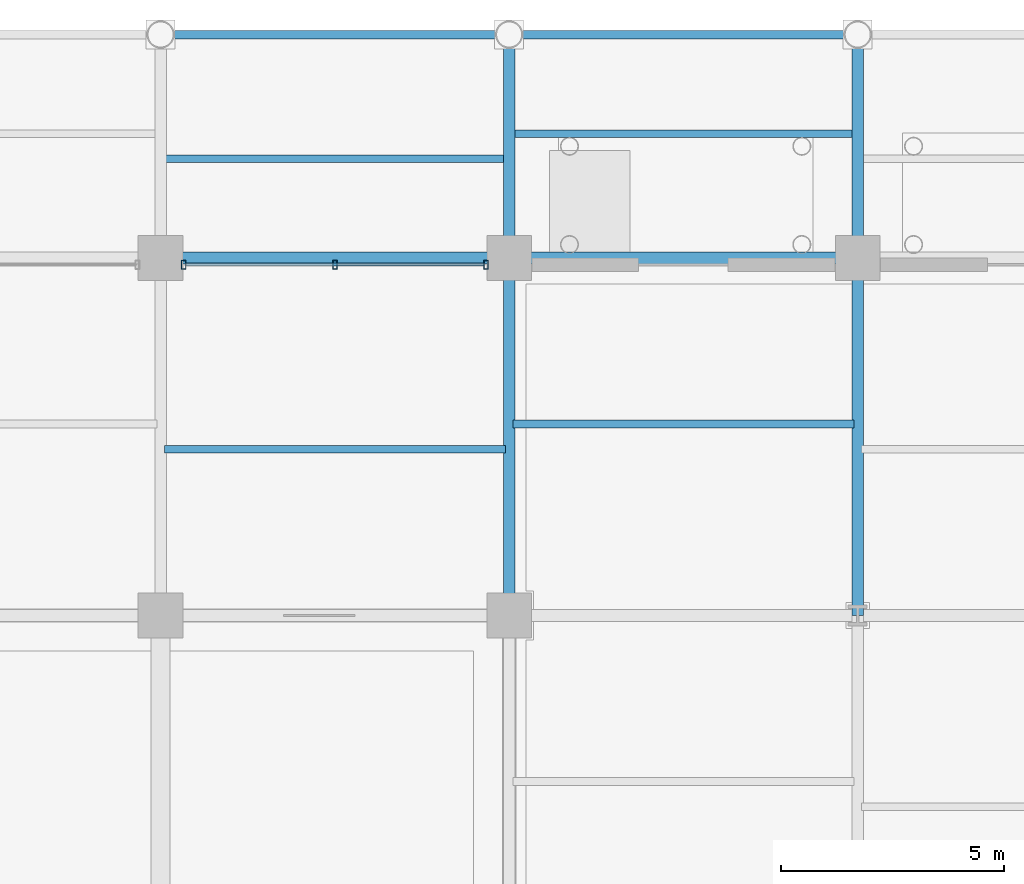
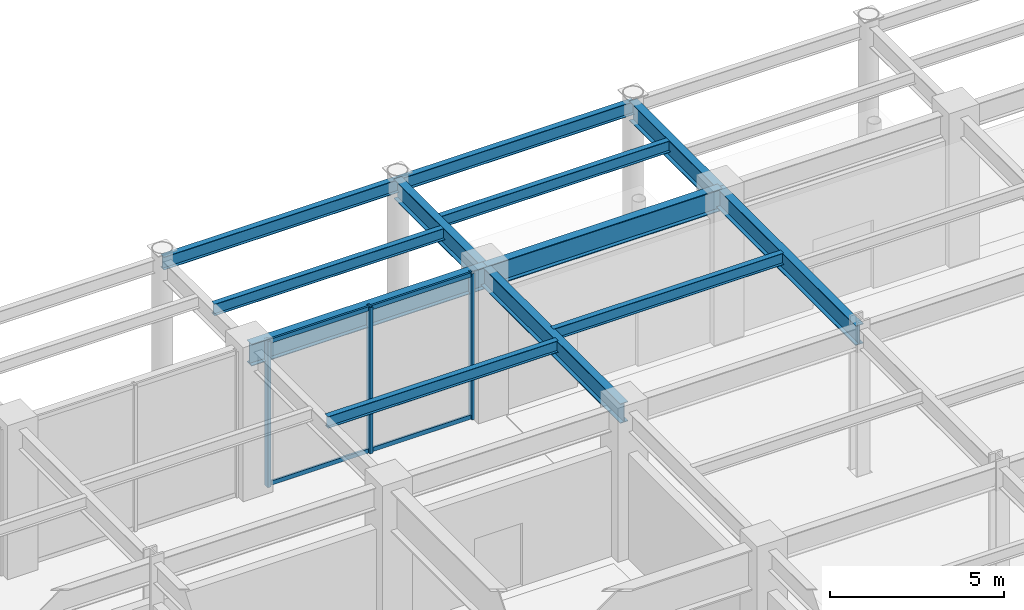
# One storey, part 15 of 27: 12 beams, 5 members, 1 element without a shape of its own.
"""IFC4 building model written with IfcOpenShell, lengths in metres."""

from ifc_helpers import new_model, si_unit, direction, frame, origin, origin_2d, place, context, subcontext, project, spatial, hollow_rectangle, i_section, extrude, material, layer, layer_set, material_profile, profile_set, type_object, element, aggregate, save


model = new_model("IFC4")

# Units and contexts
model_context = context("Model", 3, precision=1e-05, world=origin(), true_north=direction((0.0, 1.0)))
body_context = subcontext(model_context, "Body", "Model", "MODEL_VIEW")
ifc_project = project(units=[si_unit("LENGTHUNIT", "METRE"), si_unit("AREAUNIT", "SQUARE_METRE"), si_unit("VOLUMEUNIT", "CUBIC_METRE"), si_unit("PLANEANGLEUNIT", "RADIAN"), si_unit("MASSUNIT", "GRAM", prefix="KILO")], contexts=[model_context])

# Site, building, storey
site_placement = place(None, origin())
site = spatial("IfcSite", under=ifc_project, at=site_placement, CompositionType="ELEMENT")
building_placement = place(site_placement, origin())
building = spatial("IfcBuilding", under=site, at=building_placement, Name="Veymaron Broadcast Tower", CompositionType="ELEMENT")
storey_placement = place(building_placement, origin())
storey = spatial("IfcBuildingStorey", under=building, at=storey_placement, Name="L00", CompositionType="ELEMENT", Elevation=0.0)

# Beams
ifc_material_1 = material(Name="Structural steel ASTM A992 Gr 50", Category="steel")
ifc_material_profile_1 = material_profile(ifc_material_1, i_section(OverallWidth=0.177978515625, OverallDepth=0.406982421875, WebThickness=0.0078125, FlangeThickness=0.0126953125, at=origin_2d()), Name="W410X60")
ifc_profile_set_1 = profile_set([ifc_material_profile_1], Name="Structural steel ASTM A992 Gr 50")
beam_type_1 = type_object("IfcBeamType", Name="BM-JS1", PredefinedType="JOIST", material=ifc_profile_set_1)
for number, where, z_axis, x_axis, name in (
    (1, (15.68505859375, 43.719970703125, 4.91650390625), (1.0, 0.0, 0.0), (0.0, 1.0, 0.0), "L00 podium secondary floor joist"),
    (2, (15.68505859375, 50.219970703125, 4.91650390625), (1.0, 0.0, 0.0), (0.0, 1.0, 0.0), "L00 podium secondary floor joist"),
    (3, (23.485107421875, 44.280029296875, 4.91650390625), (1.0, 0.0, 0.0), (0.0, 1.0, 0.0), "L00 podium secondary floor joist"),
    (4, (23.485107421875, 50.780029296875, 4.91650390625), (1.0, 0.0, 0.0), (0.0, 1.0, 0.0), "L00 podium secondary floor joist"),
):
    element("IfcBeam", number, at=place(storey_placement, frame(where, z_axis=z_axis, x_axis=x_axis)), inside=storey, type_object=beam_type_1, Name=name, PredefinedType="JOIST", context=body_context, shape_type="SweptSolid", body=[
        extrude(i_section(OverallWidth=0.177978515625, OverallDepth=0.406982421875, WebThickness=0.0078125, FlangeThickness=0.0126953125, at=origin_2d()), origin(), (0.0, 0.0, 1.0), 7.6298828125),
    ])
ifc_material_profile_2 = material_profile(ifc_material_1, i_section(OverallWidth=0.26806640625, OverallDepth=0.77001953125, WebThickness=0.015625, FlangeThickness=0.025390625, at=origin_2d()), Name="W760X196")
ifc_profile_set_2 = profile_set([ifc_material_profile_2], Name="Structural steel ASTM A992 Gr 50")
beam_type_2 = type_object("IfcBeamType", Name="BM-PG1", PredefinedType="BEAM", material=ifc_profile_set_2)
beam_1_placement = place(storey_placement, frame((15.60009765625, 48.0, 4.735107421875), z_axis=(1.0, 0.0, 0.0), x_axis=(0.0, 1.0, 0.0)))
element("IfcBeam", 5, at=beam_1_placement, inside=storey, type_object=beam_type_2, Name="L00 podium primary X-girder", PredefinedType="BEAM", context=body_context, shape_type="SweptSolid", body=[
    extrude(i_section(OverallWidth=0.26806640625, OverallDepth=0.77001953125, WebThickness=0.015625, FlangeThickness=0.025390625, at=origin_2d()), origin(), (0.0, 0.0, 1.0), 7.7998046875),
])
beam_2_placement = place(storey_placement, frame((23.39990234375, 48.0, 4.735107421875), z_axis=(1.0, 0.0, 0.0), x_axis=(0.0, 1.0, 0.0)))
element("IfcBeam", 6, at=beam_2_placement, inside=storey, type_object=beam_type_2, Name="L00 podium primary X-girder", PredefinedType="BEAM", context=body_context, shape_type="SweptSolid", body=[
    extrude(i_section(OverallWidth=0.26806640625, OverallDepth=0.77001953125, WebThickness=0.015625, FlangeThickness=0.025390625, at=origin_2d()), origin(), (0.0, 0.0, 1.0), 7.800048828125),
])
ifc_material_profile_3 = material_profile(ifc_material_1, i_section(OverallWidth=0.256103515625, OverallDepth=0.693115234375, WebThickness=0.014404296875, FlangeThickness=0.023681640625, at=origin_2d()), Name="W690X170")
ifc_profile_set_3 = profile_set([ifc_material_profile_3], Name="Structural steel ASTM A992 Gr 50")
beam_type_3 = type_object("IfcBeamType", Name="BM-PG2", PredefinedType="BEAM", material=ifc_profile_set_3)
beam_3_placement = place(storey_placement, frame((23.39990234375, 40.0, 4.7734375), z_axis=(0.0, 1.0, 0.0), x_axis=(-1.0, 0.0, 0.0)))
element("IfcBeam", 7, at=beam_3_placement, inside=storey, type_object=beam_type_3, Name="L00 podium primary Y-girder", PredefinedType="BEAM", context=body_context, shape_type="SweptSolid", body=[
    extrude(i_section(OverallWidth=0.256103515625, OverallDepth=0.693115234375, WebThickness=0.014404296875, FlangeThickness=0.023681640625, at=origin_2d()), origin(), (0.0, 0.0, 1.0), 8.0),
])
beam_4_placement = place(storey_placement, frame((23.39990234375, 48.0, 4.7734375), z_axis=(0.0, 1.0, 0.0), x_axis=(-1.0, 0.0, 0.0)))
element("IfcBeam", 8, at=beam_4_placement, inside=storey, type_object=beam_type_3, Name="L00 podium primary Y-girder", PredefinedType="BEAM", context=body_context, shape_type="SweptSolid", body=[
    extrude(i_section(OverallWidth=0.256103515625, OverallDepth=0.693115234375, WebThickness=0.014404296875, FlangeThickness=0.023681640625, at=origin_2d()), origin(), (0.0, 0.0, 1.0), 5.0),
])
beam_5_placement = place(storey_placement, frame((31.199951171875, 40.0, 4.7734375), z_axis=(0.0, 1.0, 0.0), x_axis=(-1.0, 0.0, 0.0)))
element("IfcBeam", 9, at=beam_5_placement, inside=storey, type_object=beam_type_3, Name="L00 podium primary Y-girder", PredefinedType="BEAM", context=body_context, shape_type="SweptSolid", body=[
    extrude(i_section(OverallWidth=0.256103515625, OverallDepth=0.693115234375, WebThickness=0.014404296875, FlangeThickness=0.023681640625, at=origin_2d()), origin(), (0.0, 0.0, 1.0), 8.0),
])
beam_6_placement = place(storey_placement, frame((31.199951171875, 48.0, 4.7734375), z_axis=(0.0, 1.0, 0.0), x_axis=(-1.0, 0.0, 0.0)))
element("IfcBeam", 10, at=beam_6_placement, inside=storey, type_object=beam_type_3, Name="L00 podium primary Y-girder", PredefinedType="BEAM", context=body_context, shape_type="SweptSolid", body=[
    extrude(i_section(OverallWidth=0.256103515625, OverallDepth=0.693115234375, WebThickness=0.014404296875, FlangeThickness=0.023681640625, at=origin_2d()), origin(), (0.0, 0.0, 1.0), 5.0),
])
ifc_material_profile_4 = material_profile(ifc_material_1, i_section(OverallWidth=0.19091796875, OverallDepth=0.4599609375, WebThickness=0.010009765625, FlangeThickness=0.01611328125, at=origin_2d()), Name="W460X82")
ifc_profile_set_4 = profile_set([ifc_material_profile_4], Name="Structural steel ASTM A992 Gr 50")
beam_type_4 = type_object("IfcBeamType", Name="BM-SP1", PredefinedType="SPANDREL", material=ifc_profile_set_4)
beam_7_placement = place(storey_placement, frame((15.60009765625, 53.0, 4.889892578125), z_axis=(1.0, 0.0, 0.0), x_axis=(0.0, 1.0, 0.0)))
element("IfcBeam", 11, at=beam_7_placement, inside=storey, type_object=beam_type_4, Name="L00 podium primary X-girder", PredefinedType="SPANDREL", context=body_context, shape_type="SweptSolid", body=[
    extrude(i_section(OverallWidth=0.19091796875, OverallDepth=0.4599609375, WebThickness=0.010009765625, FlangeThickness=0.01611328125, at=origin_2d()), origin(), (0.0, 0.0, 1.0), 7.7998046875),
])
beam_8_placement = place(storey_placement, frame((23.39990234375, 53.0, 4.889892578125), z_axis=(1.0, 0.0, 0.0), x_axis=(0.0, 1.0, 0.0)))
element("IfcBeam", 12, at=beam_8_placement, inside=storey, type_object=beam_type_4, Name="L00 podium primary X-girder", PredefinedType="SPANDREL", context=body_context, shape_type="SweptSolid", body=[
    extrude(i_section(OverallWidth=0.19091796875, OverallDepth=0.4599609375, WebThickness=0.010009765625, FlangeThickness=0.01611328125, at=origin_2d()), origin(), (0.0, 0.0, 1.0), 7.800048828125),
])

# Curtain wall, members
ifc_material_2 = material(Name="Anodised aluminium AA 6063-T6 and laminated low-E dark glass", Category="aluminium")
ifc_layer = layer(ifc_material_2, 0.179931640625)
ifc_layer_set = layer_set([ifc_layer], Name="Anodised aluminium AA 6063-T6 and laminated low-E dark glass")
curtain_wall_type = type_object("IfcCurtainWallType", Name="CW-SYS-01", PredefinedType="NOTDEFINED", material=ifc_layer_set)
curtain_wall_placement = place(storey_placement, origin())
curtain_wall = element("IfcCurtainWall", 13, at=curtain_wall_placement, inside=storey, type_object=curtain_wall_type, Name="L00 dark-glass curtain wall CW-L00-03", PredefinedType="NOTDEFINED")
ifc_material_3 = material(Name="Anodised aluminium AA 6063-T6", Category="aluminium")
ifc_material_profile_5 = material_profile(ifc_material_3, hollow_rectangle(XDim=0.10009765625, YDim=0.199951171875, WallThickness=0.010009765625, at=origin_2d()), Name="RHS200X100X10")
ifc_profile_set_5 = profile_set([ifc_material_profile_5], Name="Anodised aluminium AA 6063-T6")
member_type_1 = type_object("IfcMemberType", Name="CW-MUL-01", PredefinedType="MULLION", material=ifc_profile_set_5)
member_1_placement = place(storey_placement, frame((16.117919921875, 47.85009765625, 0.0), z_axis=(0.0, 0.0, 1.0), x_axis=(1.0, 0.0, 0.0)))
member_1 = element("IfcMember", 14, at=member_1_placement, type_object=member_type_1, Name="CW-L00-03 mullion 0", PredefinedType="MULLION", context=body_context, shape_type="SweptSolid", body=[
    extrude(hollow_rectangle(XDim=0.10009765625, YDim=0.199951171875, WallThickness=0.010009765625, at=origin_2d()), origin(), (0.0, 0.0, 1.0), 5.1201171875),
])
member_2_placement = place(storey_placement, frame((19.5, 47.85009765625, 0.0), z_axis=(0.0, 0.0, 1.0), x_axis=(1.0, 0.0, 0.0)))
member_2 = element("IfcMember", 15, at=member_2_placement, type_object=member_type_1, Name="CW-L00-03 mullion 1", PredefinedType="MULLION", context=body_context, shape_type="SweptSolid", body=[
    extrude(hollow_rectangle(XDim=0.10009765625, YDim=0.199951171875, WallThickness=0.010009765625, at=origin_2d()), origin(), (0.0, 0.0, 1.0), 5.1201171875),
])
member_3_placement = place(storey_placement, frame((22.882080078125, 47.85009765625, 0.0), z_axis=(0.0, 0.0, 1.0), x_axis=(1.0, 0.0, 0.0)))
member_3 = element("IfcMember", 16, at=member_3_placement, type_object=member_type_1, Name="CW-L00-03 mullion 2", PredefinedType="MULLION", context=body_context, shape_type="SweptSolid", body=[
    extrude(hollow_rectangle(XDim=0.10009765625, YDim=0.199951171875, WallThickness=0.010009765625, at=origin_2d()), origin(), (0.0, 0.0, 1.0), 5.1201171875),
])
ifc_material_profile_6 = material_profile(ifc_material_3, hollow_rectangle(XDim=0.06494140625, YDim=0.14990234375, WallThickness=0.00390625, at=origin_2d()), Name="AL150X65X4")
ifc_profile_set_6 = profile_set([ifc_material_profile_6], Name="Anodised aluminium AA 6063-T6")
member_type_2 = type_object("IfcMemberType", Name="CW-TRN-01", PredefinedType="USERDEFINED", material=ifc_profile_set_6)
member_4_placement = place(storey_placement, frame((16.16796875, 47.85009765625, 0.070068359375), z_axis=(1.0, 0.0, 0.0), x_axis=(0.0, 1.0, 0.0)))
member_4 = element("IfcMember", 17, at=member_4_placement, type_object=member_type_2, Name="CW-L00-03 transom B", ObjectType="TRANSOM", PredefinedType="USERDEFINED", context=body_context, shape_type="SweptSolid", body=[
    extrude(hollow_rectangle(XDim=0.06494140625, YDim=0.14990234375, WallThickness=0.00390625, at=origin_2d()), origin(), (0.0, 0.0, 1.0), 6.6640625),
])
member_5_placement = place(storey_placement, frame((16.16796875, 47.85009765625, 5.050048828125), z_axis=(1.0, 0.0, 0.0), x_axis=(0.0, 1.0, 0.0)))
member_5 = element("IfcMember", 18, at=member_5_placement, type_object=member_type_2, Name="CW-L00-03 transom T", ObjectType="TRANSOM", PredefinedType="USERDEFINED", context=body_context, shape_type="SweptSolid", body=[
    extrude(hollow_rectangle(XDim=0.06494140625, YDim=0.14990234375, WallThickness=0.00390625, at=origin_2d()), origin(), (0.0, 0.0, 1.0), 6.6640625),
])
aggregate(curtain_wall, [member_1, member_2, member_3, member_4, member_5])

save(model, "model.ifc")
